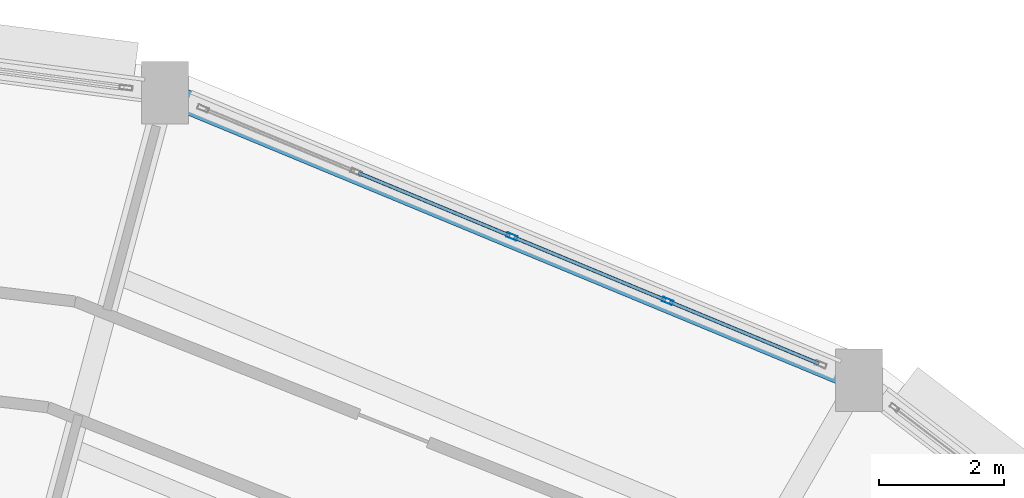
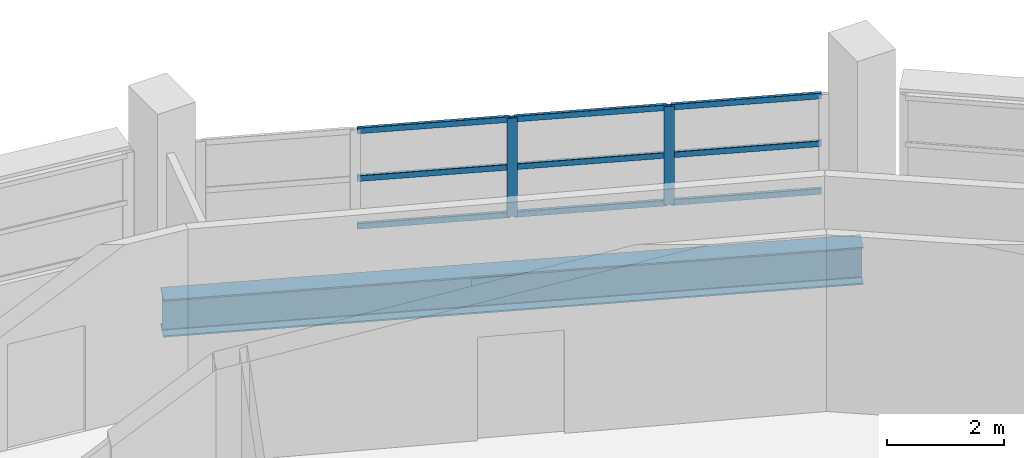
# One storey, part 40 of 53: 11 members, 1 beam, 1 element without a shape of its own.
"""IFC4 building model written with IfcOpenShell, lengths in metres."""

from ifc_helpers import new_model, si_unit, direction, frame, origin, origin_2d, place, context, subcontext, project, spatial, hollow_rectangle, i_section, extrude, material, layer, layer_set, material_profile, profile_set, type_object, element, aggregate, save


model = new_model("IFC4")

# Units and contexts
model_context = context("Model", 3, precision=1e-05, world=origin(), true_north=direction((0.0, 1.0)))
body_context = subcontext(model_context, "Body", "Model", "MODEL_VIEW")
ifc_project = project(units=[si_unit("LENGTHUNIT", "METRE"), si_unit("AREAUNIT", "SQUARE_METRE"), si_unit("VOLUMEUNIT", "CUBIC_METRE"), si_unit("PLANEANGLEUNIT", "RADIAN"), si_unit("MASSUNIT", "GRAM", prefix="KILO")], contexts=[model_context])

# Site, building, storey
site_placement = place(None, origin())
site = spatial("IfcSite", under=ifc_project, at=site_placement, CompositionType="ELEMENT")
building_placement = place(site_placement, origin())
building = spatial("IfcBuilding", under=site, at=building_placement, Name="Vespera Passage Community Centre", CompositionType="ELEMENT")
storey_placement = place(building_placement, frame((0.0, 0.0, 20.39990234375)))
storey = spatial("IfcBuildingStorey", under=building, at=storey_placement, Name="L05", CompositionType="ELEMENT", Elevation=20.39990234375)

# Beam
ifc_material_1 = material(Name="Steel ASTM A992 Grade 50", Category="steel")
ifc_material_profile_1 = material_profile(ifc_material_1, i_section(OverallWidth=0.382080078125, OverallDepth=0.779296875, WebThickness=0.01806640625, FlangeThickness=0.030029296875, FilletRadius=0.0166015625, at=origin_2d()), Name="W30X191")
ifc_profile_set_1 = profile_set([ifc_material_profile_1], Name="Steel ASTM A992 Grade 50")
beam_type = type_object("IfcBeamType", Name="BM-SP-W30X191E", PredefinedType="SPANDREL", material=ifc_profile_set_1)
beam_placement = place(storey_placement, frame((101.050048828125, 105.423828125, -0.649658203125), z_axis=(-0.923877379647, 0.382688629799, 0.0), x_axis=(-0.382688629799, -0.923877379647, 0.0)))
element("IfcBeam", 1, at=beam_placement, inside=storey, type_object=beam_type, Name="V4 L05 Outer Spandrel 4", PredefinedType="SPANDREL", context=body_context, shape_type="SweptSolid", body=[
    extrude(i_section(OverallWidth=0.382080078125, OverallDepth=0.779296875, WebThickness=0.01806640625, FlangeThickness=0.030029296875, FilletRadius=0.0166015625, at=origin_2d()), origin(), (0.0, 0.0, 1.0), 12.034423828125),
])

# Curtain wall, members
ifc_material_2 = material(Name="Anodized aluminium 6063-T6", Category="aluminium")
ifc_layer = layer(ifc_material_2, 0.159912109375)
ifc_layer_set = layer_set([ifc_layer], Name="Anodized aluminium 6063-T6")
curtain_wall_type = type_object("IfcCurtainWallType", Name="CW-71E", PredefinedType="NOTDEFINED", material=ifc_layer_set)
curtain_wall_placement = place(storey_placement, origin())
curtain_wall = element("IfcCurtainWall", 2, at=curtain_wall_placement, inside=storey, type_object=curtain_wall_type, Name="V4 L05 Outer Ribbon Curtain Wall 4", PredefinedType="NOTDEFINED")
ifc_material_3 = material(Name="Anodized aluminium 6063-T6", Category="aluminium")
ifc_material_profile_2 = material_profile(ifc_material_3, hollow_rectangle(XDim=0.074951171875, YDim=0.179931640625, WallThickness=0.0048828125, InnerFilletRadius=0.00244140625, OuterFilletRadius=0.0048828125, at=origin_2d()), Name="ALU180X75X5")
ifc_profile_set_2 = profile_set([ifc_material_profile_2], Name="Anodized aluminium 6063-T6")
member_type_1 = type_object("IfcMemberType", Name="MB-CWM-180E", PredefinedType="MULLION", material=ifc_profile_set_2)
member_1_placement = place(storey_placement, frame((95.49072265625, 107.7265625, 0.820068359375), z_axis=(0.0, 0.0, 1.0), x_axis=(0.382682936255, 0.923879738007, 0.0)))
member_1 = element("IfcMember", 3, at=member_1_placement, type_object=member_type_1, Name="CW-71E mullion 3", PredefinedType="MULLION", context=body_context, shape_type="SweptSolid", body=[
    extrude(hollow_rectangle(XDim=0.074951171875, YDim=0.179931640625, WallThickness=0.0048828125, InnerFilletRadius=0.00244140625, OuterFilletRadius=0.0048828125, at=origin_2d()), origin(), (0.0, 0.0, 1.0), 2.0458984375),
])
member_2_placement = place(storey_placement, frame((97.983642578125, 106.69384765625, 0.820068359375), z_axis=(0.0, 0.0, 1.0), x_axis=(0.382682936255, 0.923879738007, 0.0)))
member_2 = element("IfcMember", 4, at=member_2_placement, type_object=member_type_1, Name="CW-71E mullion 4", PredefinedType="MULLION", context=body_context, shape_type="SweptSolid", body=[
    extrude(hollow_rectangle(XDim=0.074951171875, YDim=0.179931640625, WallThickness=0.0048828125, InnerFilletRadius=0.00244140625, OuterFilletRadius=0.0048828125, at=origin_2d()), origin(), (0.0, 0.0, 1.0), 2.0458984375),
])
ifc_material_4 = material(Name="Anodized aluminium 6063-T6", Category="aluminium")
ifc_material_profile_3 = material_profile(ifc_material_4, hollow_rectangle(XDim=0.06005859375, YDim=0.1201171875, WallThickness=0.00390625, InnerFilletRadius=0.001953125, OuterFilletRadius=0.00390625, at=origin_2d()), Name="ALU120X60X4")
ifc_profile_set_3 = profile_set([ifc_material_profile_3], Name="Anodized aluminium 6063-T6")
member_type_2 = type_object("IfcMemberType", Name="MB-CWT-120E", PredefinedType="USERDEFINED", material=ifc_profile_set_3)
member_3_placement = place(storey_placement, frame((93.03271484375, 108.74462890625, 0.85009765625), z_axis=(0.92389545334, -0.382644993822, 0.0), x_axis=(0.382644993822, 0.92389545334, 0.0)))
member_3 = element("IfcMember", 5, at=member_3_placement, type_object=member_type_2, Name="CW-71E transom 2.1", ObjectType="TRANSOM", PredefinedType="USERDEFINED", context=body_context, shape_type="SweptSolid", body=[
    extrude(hollow_rectangle(XDim=0.06005859375, YDim=0.1201171875, WallThickness=0.00390625, InnerFilletRadius=0.001953125, OuterFilletRadius=0.00390625, at=origin_2d()), origin(), (0.0, 0.0, 1.0), 2.623046875),
])
member_4_placement = place(storey_placement, frame((93.03271484375, 108.74462890625, 1.843017578125), z_axis=(0.92389545334, -0.382644993822, 0.0), x_axis=(0.382644993822, 0.92389545334, 0.0)))
member_4 = element("IfcMember", 6, at=member_4_placement, type_object=member_type_2, Name="CW-71E transom 2.2", ObjectType="TRANSOM", PredefinedType="USERDEFINED", context=body_context, shape_type="SweptSolid", body=[
    extrude(hollow_rectangle(XDim=0.06005859375, YDim=0.1201171875, WallThickness=0.00390625, InnerFilletRadius=0.001953125, OuterFilletRadius=0.00390625, at=origin_2d()), origin(), (0.0, 0.0, 1.0), 2.623046875),
])
member_5_placement = place(storey_placement, frame((93.03271484375, 108.74462890625, 2.8359375), z_axis=(0.92389545334, -0.382644993822, 0.0), x_axis=(0.382644993822, 0.92389545334, 0.0)))
member_5 = element("IfcMember", 7, at=member_5_placement, type_object=member_type_2, Name="CW-71E transom 2.3", ObjectType="TRANSOM", PredefinedType="USERDEFINED", context=body_context, shape_type="SweptSolid", body=[
    extrude(hollow_rectangle(XDim=0.06005859375, YDim=0.1201171875, WallThickness=0.00390625, InnerFilletRadius=0.001953125, OuterFilletRadius=0.00390625, at=origin_2d()), origin(), (0.0, 0.0, 1.0), 2.623046875),
])
member_6_placement = place(storey_placement, frame((95.525390625, 107.712158203125, 0.85009765625), z_axis=(0.92387617736, -0.382691532316, 0.0), x_axis=(0.382691532316, 0.92387617736, 0.0)))
member_6 = element("IfcMember", 8, at=member_6_placement, type_object=member_type_2, Name="CW-71E transom 3.1", ObjectType="TRANSOM", PredefinedType="USERDEFINED", context=body_context, shape_type="SweptSolid", body=[
    extrude(hollow_rectangle(XDim=0.06005859375, YDim=0.1201171875, WallThickness=0.00390625, InnerFilletRadius=0.001953125, OuterFilletRadius=0.00390625, at=origin_2d()), origin(), (0.0, 0.0, 1.0), 2.623291015625),
])
member_7_placement = place(storey_placement, frame((95.525390625, 107.712158203125, 1.843017578125), z_axis=(0.92387617736, -0.382691532316, 0.0), x_axis=(0.382691532316, 0.92387617736, 0.0)))
member_7 = element("IfcMember", 9, at=member_7_placement, type_object=member_type_2, Name="CW-71E transom 3.2", ObjectType="TRANSOM", PredefinedType="USERDEFINED", context=body_context, shape_type="SweptSolid", body=[
    extrude(hollow_rectangle(XDim=0.06005859375, YDim=0.1201171875, WallThickness=0.00390625, InnerFilletRadius=0.001953125, OuterFilletRadius=0.00390625, at=origin_2d()), origin(), (0.0, 0.0, 1.0), 2.623291015625),
])
member_8_placement = place(storey_placement, frame((95.525390625, 107.712158203125, 2.8359375), z_axis=(0.92387617736, -0.382691532316, 0.0), x_axis=(0.382691532316, 0.92387617736, 0.0)))
member_8 = element("IfcMember", 10, at=member_8_placement, type_object=member_type_2, Name="CW-71E transom 3.3", ObjectType="TRANSOM", PredefinedType="USERDEFINED", context=body_context, shape_type="SweptSolid", body=[
    extrude(hollow_rectangle(XDim=0.06005859375, YDim=0.1201171875, WallThickness=0.00390625, InnerFilletRadius=0.001953125, OuterFilletRadius=0.00390625, at=origin_2d()), origin(), (0.0, 0.0, 1.0), 2.623291015625),
])
member_9_placement = place(storey_placement, frame((98.018310546875, 106.6796875, 0.85009765625), z_axis=(0.923882193286, -0.382677008624, 0.0), x_axis=(0.382677008624, 0.923882193286, 0.0)))
member_9 = element("IfcMember", 11, at=member_9_placement, type_object=member_type_2, Name="CW-71E transom 4.1", ObjectType="TRANSOM", PredefinedType="USERDEFINED", context=body_context, shape_type="SweptSolid", body=[
    extrude(hollow_rectangle(XDim=0.06005859375, YDim=0.1201171875, WallThickness=0.00390625, InnerFilletRadius=0.001953125, OuterFilletRadius=0.00390625, at=origin_2d()), origin(), (0.0, 0.0, 1.0), 2.585693359375),
])
member_10_placement = place(storey_placement, frame((98.018310546875, 106.6796875, 1.843017578125), z_axis=(0.923882193286, -0.382677008624, 0.0), x_axis=(0.382677008624, 0.923882193286, 0.0)))
member_10 = element("IfcMember", 12, at=member_10_placement, type_object=member_type_2, Name="CW-71E transom 4.2", ObjectType="TRANSOM", PredefinedType="USERDEFINED", context=body_context, shape_type="SweptSolid", body=[
    extrude(hollow_rectangle(XDim=0.06005859375, YDim=0.1201171875, WallThickness=0.00390625, InnerFilletRadius=0.001953125, OuterFilletRadius=0.00390625, at=origin_2d()), origin(), (0.0, 0.0, 1.0), 2.585693359375),
])
member_11_placement = place(storey_placement, frame((98.018310546875, 106.6796875, 2.8359375), z_axis=(0.923882193286, -0.382677008624, 0.0), x_axis=(0.382677008624, 0.923882193286, 0.0)))
member_11 = element("IfcMember", 13, at=member_11_placement, type_object=member_type_2, Name="CW-71E transom 4.3", ObjectType="TRANSOM", PredefinedType="USERDEFINED", context=body_context, shape_type="SweptSolid", body=[
    extrude(hollow_rectangle(XDim=0.06005859375, YDim=0.1201171875, WallThickness=0.00390625, InnerFilletRadius=0.001953125, OuterFilletRadius=0.00390625, at=origin_2d()), origin(), (0.0, 0.0, 1.0), 2.585693359375),
])
aggregate(curtain_wall, [member_1, member_2, member_3, member_4, member_5, member_6, member_7, member_8, member_9, member_10, member_11])

save(model, "model.ifc")
